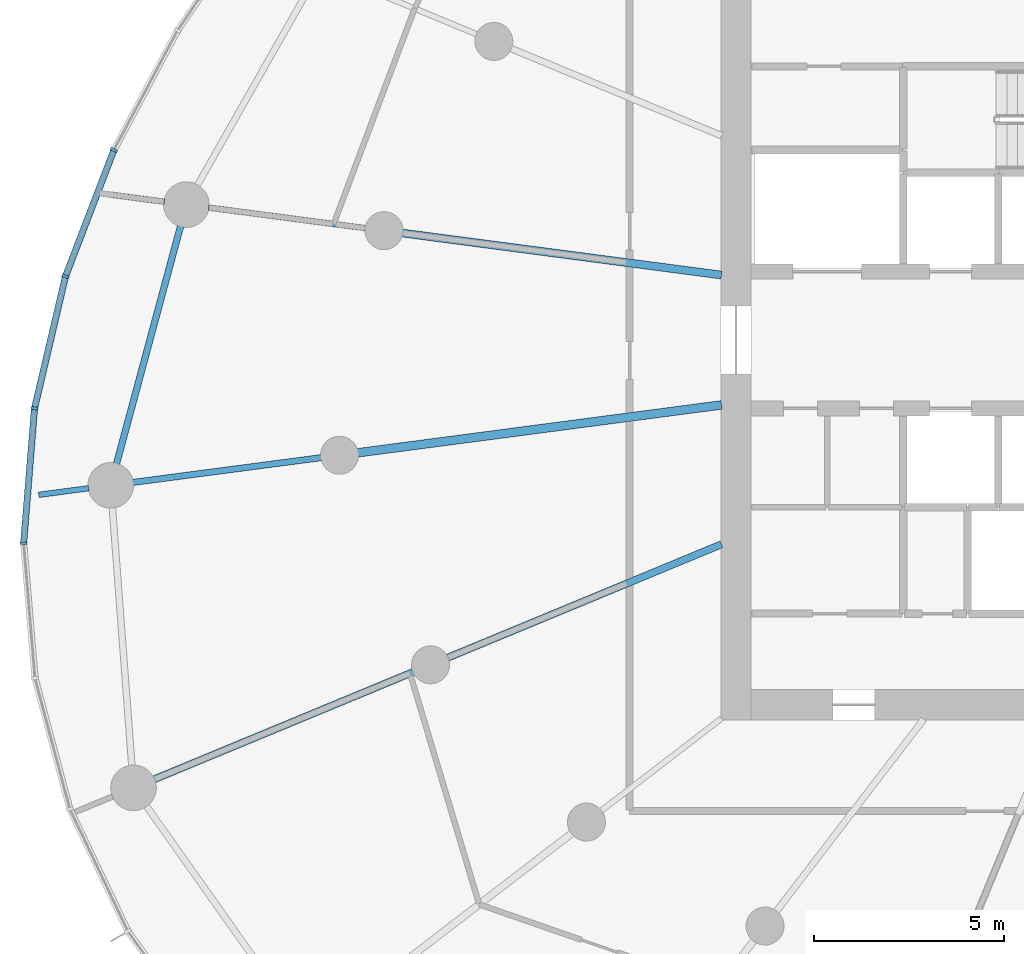
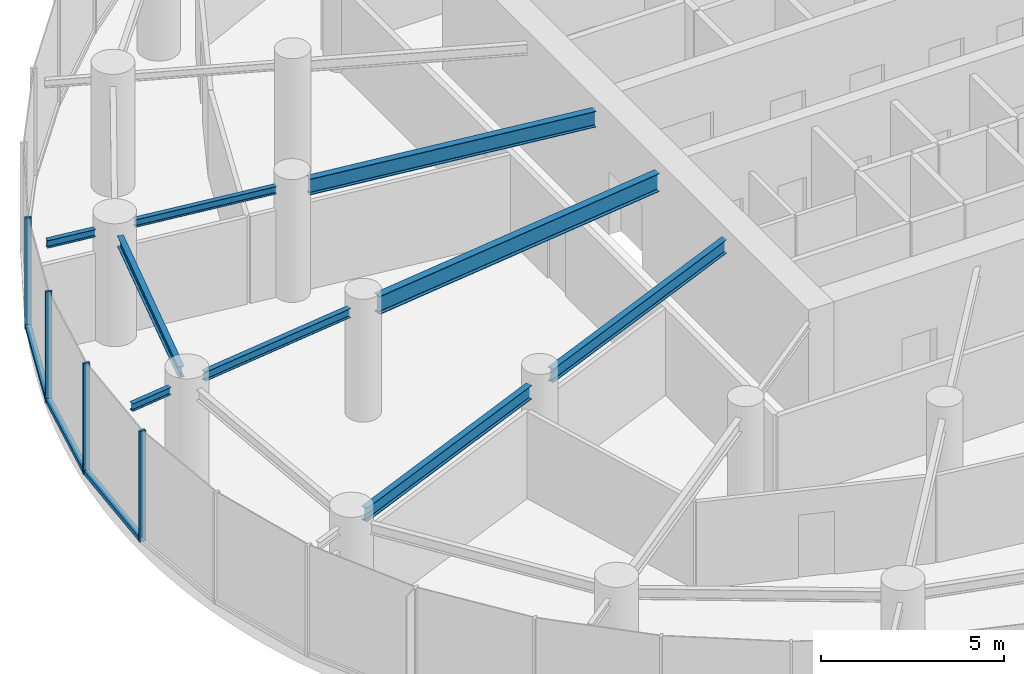
# One storey, part 3 of 17: 9 beams, 7 members, 1 element without a shape of its own.
"""IFC4 building model written with IfcOpenShell, lengths in metres."""

from ifc_helpers import new_model, si_unit, direction, frame, origin, origin_2d, place, context, subcontext, project, spatial, rectangle, i_section, extrude, source, transform, mapped, material, layer, layer_set, material_profile, profile_set, type_object, element, aggregate, save


model = new_model("IFC4")

# Units and contexts
model_context = context("Model", 3, precision=1e-05, world=origin(), true_north=direction((0.0, 1.0)))
body_context = subcontext(model_context, "Body", "Model", "MODEL_VIEW")
ifc_project = project(units=[si_unit("LENGTHUNIT", "METRE"), si_unit("AREAUNIT", "SQUARE_METRE"), si_unit("VOLUMEUNIT", "CUBIC_METRE"), si_unit("PLANEANGLEUNIT", "RADIAN"), si_unit("MASSUNIT", "GRAM", prefix="KILO")], contexts=[model_context])

# Site, building, storey
site_placement = place(None, origin())
site = spatial("IfcSite", under=ifc_project, at=site_placement, CompositionType="ELEMENT")
building_placement = place(site_placement, origin())
building = spatial("IfcBuilding", under=site, at=building_placement, Name="Spindrift Exchange Tower", CompositionType="ELEMENT")
storey_placement = place(building_placement, frame((0.0, 0.0, 96.199951171875)))
storey = spatial("IfcBuildingStorey", under=building, at=storey_placement, Name="L22", CompositionType="ELEMENT", Elevation=96.199951171875)

# Beams
ifc_material_1 = material(Name="Steel Grade 300", Category="steel")
ifc_material_profile_1 = material_profile(ifc_material_1, i_section(OverallWidth=0.22802734375, OverallDepth=0.60693359375, WebThickness=0.01123046875, FlangeThickness=0.017333984375, FilletRadius=0.013916015625, at=origin_2d()), Name="610UB113")
ifc_profile_set_1 = profile_set([ifc_material_profile_1], Name="Steel Grade 300")
beam_type_1 = type_object("IfcBeamType", Name="Floor Beam 610UB113 Steel Grade 300", PredefinedType="BEAM", material=ifc_profile_set_1)
shared_shape_1 = source(origin(), body_context, "Body", "SweptSolid", [
    extrude(i_section(OverallWidth=0.22802734375, OverallDepth=0.60693359375, WebThickness=0.01123046875, FlangeThickness=0.017333984375, FilletRadius=0.013916015625, at=origin_2d()), origin(), (0.0, 0.0, 1.0), 9.660400390625),
])
beam_1_placement = place(storey_placement, frame((39.019775390625, 46.291015625, 3.396484375), z_axis=(-0.99144767089, -0.130504850054, 0.0), x_axis=(0.130504850054, -0.99144767089, 0.0)))
element("IfcBeam", 1, at=beam_1_placement, inside=storey, type_object=beam_type_1, Name="L22 radial beam R13A", PredefinedType="BEAM", context=body_context, shape_type="MappedRepresentation", body=[
    mapped(shared_shape_1, transform((0.0, 0.0, 0.0), scale=1.0)),
])
ifc_material_profile_2 = material_profile(ifc_material_1, i_section(OverallWidth=0.18994140625, OverallDepth=0.45703125, WebThickness=0.009033203125, FlangeThickness=0.014404296875, FilletRadius=0.013916015625, at=origin_2d()), Name="460UB74.6")
ifc_profile_set_2 = profile_set([ifc_material_profile_2], Name="Steel Grade 300")
beam_type_2 = type_object("IfcBeamType", Name="Floor Beam 460UB74.6 Steel Grade 300", PredefinedType="BEAM", material=ifc_profile_set_2)
shared_shape_2 = source(origin(), body_context, "Body", "SweptSolid", [
    extrude(i_section(OverallWidth=0.18994140625, OverallDepth=0.45703125, WebThickness=0.009033203125, FlangeThickness=0.014404296875, FilletRadius=0.013916015625, at=origin_2d()), origin(), (0.0, 0.0, 1.0), 7.808837890625),
])
beam_2_placement = place(storey_placement, frame((39.0185546875, 42.622802734375, 3.471435546875), z_axis=(-0.92387965154, -0.382683145003, 0.0), x_axis=(0.382683145003, -0.92387965154, 0.0)))
element("IfcBeam", 2, at=beam_2_placement, inside=storey, type_object=beam_type_2, Name="L22 radial beam R14A", PredefinedType="BEAM", context=body_context, shape_type="MappedRepresentation", body=[
    mapped(shared_shape_2, transform((0.0, 0.0, 0.0), scale=1.0)),
])
ifc_material_profile_3 = material_profile(ifc_material_1, i_section(OverallWidth=0.208984375, OverallDepth=0.532958984375, WebThickness=0.01025390625, FlangeThickness=0.015625, FilletRadius=0.013916015625, at=origin_2d()), Name="530UB92.4")
ifc_profile_set_3 = profile_set([ifc_material_profile_3], Name="Steel Grade 300")
beam_type_3 = type_object("IfcBeamType", Name="Floor Beam 530UB92.4 Steel Grade 300", PredefinedType="BEAM", material=ifc_profile_set_3)
shared_shape_3 = source(origin(), body_context, "Body", "SweptSolid", [
    extrude(i_section(OverallWidth=0.208984375, OverallDepth=0.532958984375, WebThickness=0.01025390625, FlangeThickness=0.015625, FilletRadius=0.013916015625, at=origin_2d()), origin(), (0.0, 0.0, 1.0), 8.4794921875),
])
beam_3_placement = place(storey_placement, frame((39.019775390625, 49.708984375, 3.43359375), z_axis=(-0.991446551951, 0.13051335037, 0.0), x_axis=(-0.13051335037, -0.991446551951, 0.0)))
element("IfcBeam", 3, at=beam_3_placement, inside=storey, type_object=beam_type_3, Name="L22 radial beam R12A", PredefinedType="BEAM", context=body_context, shape_type="MappedRepresentation", body=[
    mapped(shared_shape_3, transform((0.0, 0.0, 0.0), scale=1.0)),
])
ifc_material_profile_4 = material_profile(ifc_material_1, i_section(OverallWidth=0.1650390625, OverallDepth=0.303955078125, WebThickness=0.006103515625, FlangeThickness=0.01025390625, FilletRadius=0.011474609375, at=origin_2d()), Name="310UB40.4")
ifc_profile_set_4 = profile_set([ifc_material_profile_4], Name="Steel Grade 300")
beam_type_4 = type_object("IfcBeamType", Name="Floor Beam 310UB40.4 Steel Grade 300", PredefinedType="BEAM", material=ifc_profile_set_4)
shared_shape_4 = source(origin(), body_context, "Body", "SweptSolid", [
    extrude(i_section(OverallWidth=0.1650390625, OverallDepth=0.303955078125, WebThickness=0.006103515625, FlangeThickness=0.01025390625, FilletRadius=0.011474609375, at=origin_2d()), origin(), (0.0, 0.0, 1.0), 5.014404296875),
])
beam_4_placement = place(storey_placement, frame((28.490234375, 44.90478515625, 3.548095703125), z_axis=(-0.99145015202, -0.13048599948, 0.0), x_axis=(0.13048599948, -0.99145015202, 0.0)))
element("IfcBeam", 4, at=beam_4_placement, inside=storey, type_object=beam_type_4, Name="L22 radial beam R13B", PredefinedType="BEAM", context=body_context, shape_type="MappedRepresentation", body=[
    mapped(shared_shape_4, transform((0.0, 0.0, 0.0), scale=1.0)),
])
shared_shape_5 = source(origin(), body_context, "Body", "SweptSolid", [
    extrude(i_section(OverallWidth=0.18994140625, OverallDepth=0.45703125, WebThickness=0.009033203125, FlangeThickness=0.014404296875, FilletRadius=0.013916015625, at=origin_2d()), origin(), (0.0, 0.0, 1.0), 7.400146484375),
])
beam_5_placement = place(storey_placement, frame((30.917236328125, 39.26708984375, 3.471435546875), z_axis=(-0.923886957755, -0.382665505749, 0.0), x_axis=(0.382665505749, -0.923886957755, 0.0)))
element("IfcBeam", 5, at=beam_5_placement, inside=storey, type_object=beam_type_2, Name="L22 radial beam R14B", PredefinedType="BEAM", context=body_context, shape_type="MappedRepresentation", body=[
    mapped(shared_shape_5, transform((0.0, 0.0, 0.0), scale=1.0)),
])
ifc_material_profile_5 = material_profile(ifc_material_1, i_section(OverallWidth=0.14599609375, OverallDepth=0.251953125, WebThickness=0.006103515625, FlangeThickness=0.008544921875, FilletRadius=0.011962890625, at=origin_2d()), Name="250UB31.4")
ifc_profile_set_5 = profile_set([ifc_material_profile_5], Name="Steel Grade 300")
beam_type_5 = type_object("IfcBeamType", Name="Floor Beam 250UB31.4 Steel Grade 300", PredefinedType="BEAM", material=ifc_profile_set_5)
shared_shape_6 = source(origin(), body_context, "Body", "SweptSolid", [
    extrude(i_section(OverallWidth=0.14599609375, OverallDepth=0.251953125, WebThickness=0.006103515625, FlangeThickness=0.008544921875, FilletRadius=0.011962890625, at=origin_2d()), origin(), (0.0, 0.0, 1.0), 4.186279296875),
])
beam_6_placement = place(storey_placement, frame((29.660888671875, 50.94091796875, 3.573974609375), z_axis=(-0.991445559167, 0.130520891848, 0.0), x_axis=(-0.130520891848, -0.991445559167, 0.0)))
element("IfcBeam", 6, at=beam_6_placement, inside=storey, type_object=beam_type_5, Name="L22 radial beam R12B", PredefinedType="BEAM", context=body_context, shape_type="MappedRepresentation", body=[
    mapped(shared_shape_6, transform((0.0, 0.0, 0.0), scale=1.0)),
])
ifc_material_profile_6 = material_profile(ifc_material_1, i_section(OverallWidth=0.172119140625, OverallDepth=0.35888671875, WebThickness=0.008056640625, FlangeThickness=0.012939453125, FilletRadius=0.013916015625, at=origin_2d()), Name="360UB56.7")
ifc_profile_set_6 = profile_set([ifc_material_profile_6], Name="Steel Grade 300")
beam_type_6 = type_object("IfcBeamType", Name="Edge Beam 360UB56.7 Steel Grade 300", PredefinedType="SPANDREL", material=ifc_profile_set_6)
shared_shape_7 = source(origin(), body_context, "Body", "SweptSolid", [
    extrude(i_section(OverallWidth=0.172119140625, OverallDepth=0.35888671875, WebThickness=0.008056640625, FlangeThickness=0.012939453125, FilletRadius=0.013916015625, at=origin_2d()), origin(), (0.0, 0.0, 1.0), 6.4921875),
])
beam_7_placement = place(storey_placement, frame((24.784423828125, 51.003173828125, 3.5205078125), z_axis=(-0.260262058381, -0.965538016324, 0.0), x_axis=(0.965538016324, -0.260262058381, 0.0)))
element("IfcBeam", 7, at=beam_7_placement, inside=storey, type_object=beam_type_6, Name="L22 edge beam E12", PredefinedType="SPANDREL", context=body_context, shape_type="MappedRepresentation", body=[
    mapped(shared_shape_7, transform((0.0, 0.0, 0.0), scale=1.0)),
])
ifc_material_profile_7 = material_profile(ifc_material_1, i_section(OverallWidth=0.14599609375, OverallDepth=0.251953125, WebThickness=0.006103515625, FlangeThickness=0.008544921875, FilletRadius=0.011962890625, at=origin_2d()), Name="250UB31.4")
ifc_profile_set_7 = profile_set([ifc_material_profile_7], Name="Steel Grade 300")
beam_type_7 = type_object("IfcBeamType", Name="Cantilever Beam 250UB31.4 Steel Grade 300", PredefinedType="BEAM", material=ifc_profile_set_7)
shared_shape_8 = source(origin(), body_context, "Body", "SweptSolid", [
    extrude(i_section(OverallWidth=0.14599609375, OverallDepth=0.251953125, WebThickness=0.006103515625, FlangeThickness=0.008544921875, FilletRadius=0.011962890625, at=origin_2d()), origin(), (0.0, 0.0, 1.0), 1.330078125),
])
beam_8_placement = place(storey_placement, frame((22.36865234375, 44.09912109375, 3.573974609375), z_axis=(-0.991422401773, -0.130696676553, 0.0), x_axis=(0.130696676553, -0.991422401773, 0.0)))
element("IfcBeam", 8, at=beam_8_placement, inside=storey, type_object=beam_type_7, Name="L22 cantilever beam R13T", PredefinedType="BEAM", context=body_context, shape_type="MappedRepresentation", body=[
    mapped(shared_shape_8, transform((0.0, 0.0, 0.0), scale=1.0)),
])
shared_shape_9 = source(origin(), body_context, "Body", "SweptSolid", [
    extrude(i_section(OverallWidth=0.14599609375, OverallDepth=0.251953125, WebThickness=0.006103515625, FlangeThickness=0.008544921875, FilletRadius=0.011962890625, at=origin_2d()), origin(), (0.0, 0.0, 1.0), 1.431884765625),
])
beam_9_placement = place(storey_placement, frame((24.360595703125, 51.638916015625, 3.573974609375), z_axis=(-0.99145719693, 0.130432460129, 0.0), x_axis=(-0.130432460129, -0.99145719693, 0.0)))
element("IfcBeam", 9, at=beam_9_placement, inside=storey, type_object=beam_type_7, Name="L22 cantilever beam R12T", PredefinedType="BEAM", context=body_context, shape_type="MappedRepresentation", body=[
    mapped(shared_shape_9, transform((0.0, 0.0, 0.0), scale=1.0)),
])

# Curtain wall, members
ifc_material_2 = material(Name="Fritted laminated glass with bronze frame", Category="glass")
ifc_layer = layer(ifc_material_2, 0.18994140625)
ifc_layer_set = layer_set([ifc_layer], Name="ZONE 2 BRONZE FRITTED WALL")
curtain_wall_type = type_object("IfcCurtainWallType", Name="ZONE 2 BRONZE FRITTED WALL", PredefinedType="NOTDEFINED", material=ifc_layer_set)
curtain_wall_placement = place(storey_placement, origin())
curtain_wall = element("IfcCurtainWall", 10, at=curtain_wall_placement, inside=storey, type_object=curtain_wall_type, Name="L22 Zone 2 Bronze Fritted Wall run 4", PredefinedType="NOTDEFINED")
ifc_material_3 = material(Name="Bronze anodised aluminium", Category="aluminium")
ifc_material_profile_8 = material_profile(ifc_material_3, rectangle(XDim=0.074951171875, YDim=0.18994140625, at=origin_2d()), Name="ZONE 2 BRONZE FRITTED WALL MULLION 75X190")
ifc_profile_set_8 = profile_set([ifc_material_profile_8], Name="Bronze anodised aluminium")
member_type_1 = type_object("IfcMemberType", Name="ZONE 2 BRONZE FRITTED WALL MULLION 75X190", PredefinedType="MULLION", material=ifc_profile_set_8)
shared_shape_10 = source(origin(), body_context, "Body", "SweptSolid", [
    extrude(rectangle(XDim=0.074951171875, YDim=0.18994140625, at=origin_2d()), origin(), (0.0, 0.0, 1.0), 3.699951171875),
])
member_1_placement = place(storey_placement, frame((23.02880859375, 53.0029296875, 0.0), z_axis=(0.0, 0.0, 1.0), x_axis=(-0.414608166078, -0.910000037704, 0.0)))
member_1 = element("IfcMember", 11, at=member_1_placement, type_object=member_type_1, Name="L22 mullion CW-2.21", PredefinedType="MULLION", context=body_context, shape_type="MappedRepresentation", body=[
    mapped(shared_shape_10, transform((0.0, 0.0, 0.0), scale=1.0)),
])
member_2_placement = place(storey_placement, frame((21.752685546875, 49.674072265625, 0.0), z_axis=(0.0, 0.0, 1.0), x_axis=(-0.293873287164, -0.955844386441, 0.0)))
member_2 = element("IfcMember", 12, at=member_2_placement, type_object=member_type_1, Name="L22 mullion CW-2.22", PredefinedType="MULLION", context=body_context, shape_type="MappedRepresentation", body=[
    mapped(shared_shape_10, transform((0.0, 0.0, 0.0), scale=1.0)),
])
member_3_placement = place(storey_placement, frame((20.9384765625, 46.20361328125, 0.0), z_axis=(0.0, 0.0, 1.0), x_axis=(-0.154858137987, -0.987936717153, 0.0)))
member_3 = element("IfcMember", 13, at=member_3_placement, type_object=member_type_1, Name="L22 mullion CW-2.23", PredefinedType="MULLION", context=body_context, shape_type="MappedRepresentation", body=[
    mapped(shared_shape_10, transform((0.0, 0.0, 0.0), scale=1.0)),
])
member_4_placement = place(storey_placement, frame((20.651611328125, 42.651123046875, 0.0), z_axis=(0.0, 0.0, 1.0), x_axis=(0.001597322104, -0.99999872428, 0.0)))
member_4 = element("IfcMember", 14, at=member_4_placement, type_object=member_type_1, Name="L22 mullion CW-2.24", PredefinedType="MULLION", context=body_context, shape_type="MappedRepresentation", body=[
    mapped(shared_shape_10, transform((0.0, 0.0, 0.0), scale=1.0)),
])
ifc_material_profile_9 = material_profile(ifc_material_3, rectangle(XDim=0.169921875, YDim=0.139892578125, at=origin_2d()), Name="ZONE 2 BRONZE FRITTED WALL TRANSOM 170X140")
ifc_profile_set_9 = profile_set([ifc_material_profile_9], Name="Bronze anodised aluminium")
member_type_2 = type_object("IfcMemberType", Name="ZONE 2 BRONZE FRITTED WALL TRANSOM 170X140", PredefinedType="USERDEFINED", material=ifc_profile_set_9)
shared_shape_11 = source(origin(), body_context, "Body", "SweptSolid", [
    extrude(rectangle(XDim=0.169921875, YDim=0.139892578125, at=origin_2d()), origin(), (0.0, 0.0, 1.0), 3.489013671875),
])
member_5_placement = place(storey_placement, frame((20.935302734375, 46.166259765625, 0.070068359375), z_axis=(-0.080398766828, -0.996762779347, 0.0), x_axis=(0.996762779347, -0.080398766828, 0.0)))
member_5 = element("IfcMember", 15, at=member_5_placement, type_object=member_type_2, Name="L22 transom CW-2.23", ObjectType="TRANSOM", PredefinedType="USERDEFINED", context=body_context, shape_type="MappedRepresentation", body=[
    mapped(shared_shape_11, transform((0.0, 0.0, 0.0), scale=1.0)),
])
shared_shape_12 = source(origin(), body_context, "Body", "SweptSolid", [
    extrude(rectangle(XDim=0.169921875, YDim=0.139892578125, at=origin_2d()), origin(), (0.0, 0.0, 1.0), 3.489990234375),
])
member_6_placement = place(storey_placement, frame((23.015380859375, 52.968017578125, 0.070068359375), z_axis=(-0.357952275904, -0.933739882502, 0.0), x_axis=(0.933739882502, -0.357952275904, 0.0)))
member_6 = element("IfcMember", 16, at=member_6_placement, type_object=member_type_2, Name="L22 transom CW-2.21", ObjectType="TRANSOM", PredefinedType="USERDEFINED", context=body_context, shape_type="MappedRepresentation", body=[
    mapped(shared_shape_12, transform((0.0, 0.0, 0.0), scale=1.0)),
])
member_7_placement = place(storey_placement, frame((21.744140625, 49.6376953125, 0.070068359375), z_axis=(-0.228403724721, -0.973566504423, 0.0), x_axis=(0.973566504423, -0.228403724721, 0.0)))
member_7 = element("IfcMember", 17, at=member_7_placement, type_object=member_type_2, Name="L22 transom CW-2.22", ObjectType="TRANSOM", PredefinedType="USERDEFINED", context=body_context, shape_type="MappedRepresentation", body=[
    mapped(shared_shape_12, transform((0.0, 0.0, 0.0), scale=1.0)),
])
aggregate(curtain_wall, [member_1, member_6, member_2, member_7, member_3, member_5, member_4])

save(model, "model.ifc")
